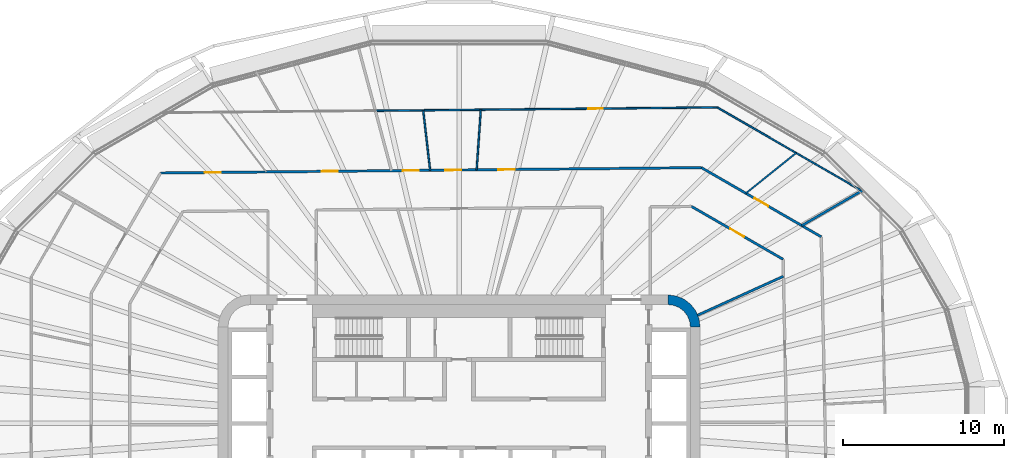
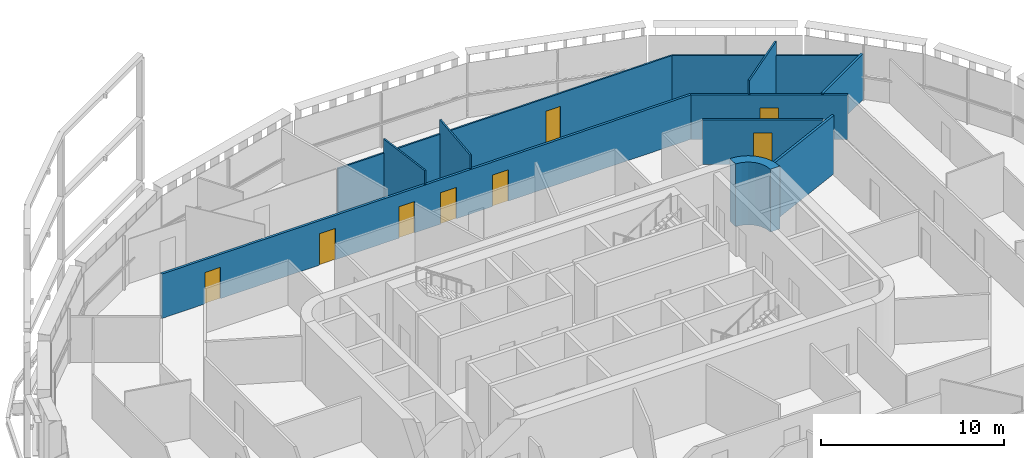
# One storey, part 18 of 26: 11 walls, 8 doors, 8 openings.
"""IFC4 building model written with IfcOpenShell, lengths in metres."""

from ifc_helpers import new_model, si_unit, direction, frame, frame_2d, origin, place, context, subcontext, project, spatial, polyline, rectangle, outline, extrude, material, layer, layer_set, type_object, element, fill, save


model = new_model("IFC4")

# Units and contexts
model_context = context("Model", 3, precision=1e-05, world=origin(), true_north=direction((0.0, 1.0)))
body_context = subcontext(model_context, "Body", "Model", "MODEL_VIEW")
ifc_project = project(units=[si_unit("LENGTHUNIT", "METRE"), si_unit("AREAUNIT", "SQUARE_METRE"), si_unit("VOLUMEUNIT", "CUBIC_METRE"), si_unit("PLANEANGLEUNIT", "RADIAN"), si_unit("MASSUNIT", "GRAM", prefix="KILO")], contexts=[model_context])

# Site, building, storey
site_placement = place(None, origin())
site = spatial("IfcSite", under=ifc_project, at=site_placement, CompositionType="ELEMENT")
building_placement = place(site_placement, origin())
building = spatial("IfcBuilding", under=site, at=building_placement, Name="Sahrelin Media Tower", CompositionType="ELEMENT")
storey_placement = place(building_placement, frame((0.0, 0.0, 84.0)))
storey = spatial("IfcBuildingStorey", under=building, at=storey_placement, Name="L15", CompositionType="ELEMENT", Elevation=84.0)

# Wall
ifc_material_1 = material(Name="Concrete C60/75", Category="concrete")
ifc_layer_1 = layer(ifc_material_1, 0.60009765625)
ifc_layer_set_1 = layer_set([ifc_layer_1], Name="Core wall 600")
wall_type_1 = type_object("IfcWallType", Name="Core wall 600", PredefinedType="SHEAR", material=ifc_layer_set_1)
wall_1_placement = place(storey_placement, origin())
element("IfcWall", 1, at=wall_1_placement, inside=storey, type_object=wall_type_1, Name="Core wall corner NE L15", PredefinedType="SHEAR", context=body_context, shape_type="SweptSolid", body=[
    extrude(outline(polyline([(13.0, 8.0), (13.0, 7.394775390625), (13.361083984375, 7.347412109375), (13.697509765625, 7.2080078125), (13.986328125, 6.986328125), (14.2080078125, 6.697509765625), (14.347412109375, 6.361083984375), (14.394775390625, 6.0), (15.0, 6.0), (14.931884765625, 6.517578125), (14.732177734375, 7.0), (14.414306640625, 7.414306640625), (14.0, 7.732177734375), (13.517578125, 7.931884765625), (13.0, 8.0)])), origin(), (0.0, 0.0, 1.0), 4.199951171875),
])

# Wall, opening, door
ifc_material_2 = material(Name="Fire-rated gypsum board partition")
ifc_layer_2 = layer(ifc_material_2, 0.14990234375)
ifc_layer_set_2 = layer_set([ifc_layer_2], Name="Fire-rated partition 150")
wall_type_2 = type_object("IfcWallType", Name="Fire-rated partition 150", PredefinedType="PARTITIONING", material=ifc_layer_set_2)
wall_2_placement = place(storey_placement, frame((14.447998046875, 13.514892578125, 0.0), z_axis=(0.0, 0.0, 1.0), x_axis=(0.866032288321, -0.499988075443, 0.0)))
wall_2 = element("IfcWall", 2, at=wall_2_placement, inside=storey, type_object=wall_type_2, Name="Wall", PredefinedType="PARTITIONING", context=body_context, shape_type="SweptSolid", body=[
    extrude(rectangle(XDim=6.603759765625, YDim=0.14990234375, at=frame_2d((3.3017578125, 0.0))), origin(), (0.0, 0.0, 1.0), 2.96826171875),
])
opening_1_placement = place(wall_2_placement, frame((2.8017578125, 0.0, 0.0)))
opening_1 = element("IfcOpeningElement", 3, at=opening_1_placement, cuts=wall_2, Name="Opening L15-D27", PredefinedType="OPENING", context=body_context, shape_type="SweptSolid", body=[
    extrude(rectangle(XDim=1.0, YDim=2.10009765625, at=frame_2d((0.5, 1.050048828125))), frame((0.0, 0.074951171875, 0.0), z_axis=(0.0, -1.0, 0.0), x_axis=(1.0, 0.0, 0.0)), (0.0, 0.0, 1.0), 0.14990234375),
])
ifc_material_3 = material(Name="Steel fire door leaf", Category="steel")
door_type_1 = type_object("IfcDoorType", Name="Fire door 1000 x 2100 EI 60", OperationType="NOTDEFINED", PredefinedType="DOOR", material=ifc_material_3)
door_1_placement = place(opening_1_placement, origin())
door_1 = element("IfcDoor", 4, at=door_1_placement, inside=storey, type_object=door_type_1, Name="Fire door", OperationType="SINGLE_SWING_RIGHT", OverallHeight=2.10009765625, OverallWidth=1.0, PredefinedType="DOOR", context=body_context, shape_type="SweptSolid", body=[
    extrude(rectangle(XDim=1.0, YDim=2.10009765625, at=frame_2d((0.5, 1.050048828125))), frame((0.0, 0.02490234375, 0.0), z_axis=(0.0, -1.0, 0.0), x_axis=(1.0, 0.0, 0.0)), (0.0, 0.0, 1.0), 0.050048828125),
])
fill(opening_1, door_1)

wall_3_placement = place(storey_placement, frame((15.080078125, 15.9208984375, 0.0), z_axis=(0.0, 0.0, 1.0), x_axis=(0.866020838546, -0.500007907142, 0.0)))
wall_3 = element("IfcWall", 5, at=wall_3_placement, inside=storey, type_object=wall_type_2, Name="Wall", PredefinedType="PARTITIONING", context=body_context, shape_type="SweptSolid", body=[
    extrude(rectangle(XDim=8.612548828125, YDim=0.14990234375, at=frame_2d((4.30615234375, 0.0))), origin(), (0.0, 0.0, 1.0), 2.96826171875),
])
opening_2_placement = place(wall_3_placement, frame((3.807373046875, 0.0, 0.0)))
opening_2 = element("IfcOpeningElement", 6, at=opening_2_placement, cuts=wall_3, Name="Opening L15-D41", PredefinedType="OPENING", context=body_context, shape_type="SweptSolid", body=[
    extrude(rectangle(XDim=1.0, YDim=2.10009765625, at=frame_2d((0.5, 1.050048828125))), frame((0.0, 0.074951171875, 0.0), z_axis=(0.0, -1.0, 0.0), x_axis=(1.0, 0.0, 0.0)), (0.0, 0.0, 1.0), 0.14990234375),
])
door_2_placement = place(opening_2_placement, origin())
door_2 = element("IfcDoor", 7, at=door_2_placement, inside=storey, type_object=door_type_1, Name="Fire door", OperationType="SINGLE_SWING_LEFT", OverallHeight=2.10009765625, OverallWidth=1.0, PredefinedType="DOOR", context=body_context, shape_type="SweptSolid", body=[
    extrude(rectangle(XDim=1.0, YDim=2.10009765625, at=frame_2d((0.5, 1.050048828125))), frame((0.0, 0.02490234375, 0.0), z_axis=(0.0, -1.0, 0.0), x_axis=(1.0, 0.0, 0.0)), (0.0, 0.0, 1.0), 0.050048828125),
])
fill(opening_2, door_2)

# Wall, openings, doors
wall_4_placement = place(storey_placement, frame((-18.5869140625, 15.5869140625, 0.0), z_axis=(0.0, 0.0, 1.0), x_axis=(0.99995087003, 0.009912493396, 0.0)))
wall_4 = element("IfcWall", 8, at=wall_4_placement, inside=storey, type_object=wall_type_2, Name="Wall", PredefinedType="PARTITIONING", context=body_context, shape_type="SweptSolid", body=[
    extrude(rectangle(XDim=33.668701171875, YDim=0.14990234375, at=frame_2d((16.83447265625, 0.0))), origin(), (0.0, 0.0, 1.0), 2.96826171875),
])
opening_3_placement = place(wall_4_placement, frame((21.034423828125, 0.0, 0.0)))
opening_3 = element("IfcOpeningElement", 9, at=opening_3_placement, cuts=wall_4, Name="Opening L15-D42", PredefinedType="OPENING", context=body_context, shape_type="SweptSolid", body=[
    extrude(rectangle(XDim=1.0, YDim=2.10009765625, at=frame_2d((0.5, 1.050048828125))), frame((0.0, 0.074951171875, 0.0), z_axis=(0.0, -1.0, 0.0), x_axis=(1.0, 0.0, 0.0)), (0.0, 0.0, 1.0), 0.14990234375),
])
opening_4_placement = place(wall_4_placement, frame((17.72998046875, 0.0, 0.0)))
opening_4 = element("IfcOpeningElement", 10, at=opening_4_placement, cuts=wall_4, Name="Opening L15-D43", PredefinedType="OPENING", context=body_context, shape_type="SweptSolid", body=[
    extrude(rectangle(XDim=1.0, YDim=2.10009765625, at=frame_2d((0.5, 1.050048828125))), frame((0.0, 0.074951171875, 0.0), z_axis=(0.0, -1.0, 0.0), x_axis=(1.0, 0.0, 0.0)), (0.0, 0.0, 1.0), 0.14990234375),
])
opening_5_placement = place(wall_4_placement, frame((15.0771484375, 0.0, 0.0)))
opening_5 = element("IfcOpeningElement", 11, at=opening_5_placement, cuts=wall_4, Name="Opening L15-D44", PredefinedType="OPENING", context=body_context, shape_type="SweptSolid", body=[
    extrude(rectangle(XDim=1.0, YDim=2.10009765625, at=frame_2d((0.5, 1.050048828125))), frame((0.0, 0.074951171875, 0.0), z_axis=(0.0, -1.0, 0.0), x_axis=(1.0, 0.0, 0.0)), (0.0, 0.0, 1.0), 0.14990234375),
])
opening_6_placement = place(wall_4_placement, frame((10.026123046875, 0.0, 0.0)))
opening_6 = element("IfcOpeningElement", 12, at=opening_6_placement, cuts=wall_4, Name="Opening L15-D46", PredefinedType="OPENING", context=body_context, shape_type="SweptSolid", body=[
    extrude(rectangle(XDim=1.0, YDim=2.10009765625, at=frame_2d((0.5, 1.050048828125))), frame((0.0, 0.074951171875, 0.0), z_axis=(0.0, -1.0, 0.0), x_axis=(1.0, 0.0, 0.0)), (0.0, 0.0, 1.0), 0.14990234375),
])
opening_7_placement = place(wall_4_placement, frame((2.73681640625, 0.0, 0.0)))
opening_7 = element("IfcOpeningElement", 13, at=opening_7_placement, cuts=wall_4, Name="Opening L15-D47", PredefinedType="OPENING", context=body_context, shape_type="SweptSolid", body=[
    extrude(rectangle(XDim=1.0, YDim=2.10009765625, at=frame_2d((0.5, 1.050048828125))), frame((0.0, 0.074951171875, 0.0), z_axis=(0.0, -1.0, 0.0), x_axis=(1.0, 0.0, 0.0)), (0.0, 0.0, 1.0), 0.14990234375),
])
door_3_placement = place(opening_3_placement, origin())
door_3 = element("IfcDoor", 14, at=door_3_placement, inside=storey, type_object=door_type_1, Name="Fire door", OperationType="SINGLE_SWING_RIGHT", OverallHeight=2.10009765625, OverallWidth=1.0, PredefinedType="DOOR", context=body_context, shape_type="SweptSolid", body=[
    extrude(rectangle(XDim=1.0, YDim=2.10009765625, at=frame_2d((0.5, 1.050048828125))), frame((0.0, 0.02490234375, 0.0), z_axis=(0.0, -1.0, 0.0), x_axis=(1.0, 0.0, 0.0)), (0.0, 0.0, 1.0), 0.050048828125),
])
fill(opening_3, door_3)
door_4_placement = place(opening_4_placement, origin())
door_4 = element("IfcDoor", 15, at=door_4_placement, inside=storey, type_object=door_type_1, Name="Fire door", OperationType="SINGLE_SWING_RIGHT", OverallHeight=2.10009765625, OverallWidth=1.0, PredefinedType="DOOR", context=body_context, shape_type="SweptSolid", body=[
    extrude(rectangle(XDim=1.0, YDim=2.10009765625, at=frame_2d((0.5, 1.050048828125))), frame((0.0, 0.02490234375, 0.0), z_axis=(0.0, -1.0, 0.0), x_axis=(1.0, 0.0, 0.0)), (0.0, 0.0, 1.0), 0.050048828125),
])
fill(opening_4, door_4)
door_5_placement = place(opening_5_placement, origin())
door_5 = element("IfcDoor", 16, at=door_5_placement, inside=storey, type_object=door_type_1, Name="Fire door", OperationType="SINGLE_SWING_LEFT", OverallHeight=2.10009765625, OverallWidth=1.0, PredefinedType="DOOR", context=body_context, shape_type="SweptSolid", body=[
    extrude(rectangle(XDim=1.0, YDim=2.10009765625, at=frame_2d((0.5, 1.050048828125))), frame((0.0, 0.02490234375, 0.0), z_axis=(0.0, -1.0, 0.0), x_axis=(1.0, 0.0, 0.0)), (0.0, 0.0, 1.0), 0.050048828125),
])
fill(opening_5, door_5)
door_6_placement = place(opening_6_placement, origin())
door_6 = element("IfcDoor", 17, at=door_6_placement, inside=storey, type_object=door_type_1, Name="Fire door", OperationType="SINGLE_SWING_LEFT", OverallHeight=2.10009765625, OverallWidth=1.0, PredefinedType="DOOR", context=body_context, shape_type="SweptSolid", body=[
    extrude(rectangle(XDim=1.0, YDim=2.10009765625, at=frame_2d((0.5, 1.050048828125))), frame((0.0, 0.02490234375, 0.0), z_axis=(0.0, -1.0, 0.0), x_axis=(1.0, 0.0, 0.0)), (0.0, 0.0, 1.0), 0.050048828125),
])
fill(opening_6, door_6)
door_7_placement = place(opening_7_placement, origin())
door_7 = element("IfcDoor", 18, at=door_7_placement, inside=storey, type_object=door_type_1, Name="Fire door", OperationType="SINGLE_SWING_RIGHT", OverallHeight=2.10009765625, OverallWidth=1.0, PredefinedType="DOOR", context=body_context, shape_type="SweptSolid", body=[
    extrude(rectangle(XDim=1.0, YDim=2.10009765625, at=frame_2d((0.5, 1.050048828125))), frame((0.0, 0.02490234375, 0.0), z_axis=(0.0, -1.0, 0.0), x_axis=(1.0, 0.0, 0.0)), (0.0, 0.0, 1.0), 0.050048828125),
])
fill(opening_7, door_7)

# Walls
wall_5_placement = place(storey_placement, frame((14.843017578125, 6.73291015625, 0.0), z_axis=(0.0, 0.0, 1.0), x_axis=(0.910628361306, 0.413226315214, 0.0)))
element("IfcWall", 19, at=wall_5_placement, inside=storey, type_object=wall_type_2, Name="Wall", PredefinedType="PARTITIONING", context=body_context, shape_type="SweptSolid", body=[
    extrude(rectangle(XDim=5.870361328125, YDim=0.14990234375, at=frame_2d((2.93505859375, 0.0))), origin(), (0.0, 0.0, 1.0), 3.89990234375),
])
wall_6_placement = place(storey_placement, frame((21.3291015625, 12.31396484375, 0.0), z_axis=(0.0, 0.0, 1.0), x_axis=(0.865416132284, 0.501053807472, 0.0)))
element("IfcWall", 20, at=wall_6_placement, inside=storey, type_object=wall_type_2, Name="Wall", PredefinedType="PARTITIONING", context=body_context, shape_type="SweptSolid", body=[
    extrude(rectangle(XDim=4.39013671875, YDim=0.14990234375, at=frame_2d((2.195068359375, 0.0))), origin(), (0.0, 0.0, 1.0), 3.044921875),
])
ifc_material_4 = material(Name="Gypsum board partition")
ifc_layer_3 = layer(ifc_material_4, 0.10009765625)
ifc_layer_set_3 = layer_set([ifc_layer_3], Name="Partition 100")
wall_type_3 = type_object("IfcWallType", Name="Partition 100", PredefinedType="PARTITIONING", material=ifc_layer_set_3)
wall_7_placement = place(storey_placement, frame((-2.237060546875, 19.489990234375, 0.0), z_axis=(0.0, 0.0, 1.0), x_axis=(0.114064733863, -0.993473319465, 0.0)))
element("IfcWall", 21, at=wall_7_placement, inside=storey, type_object=wall_type_3, Name="Wall", PredefinedType="PARTITIONING", context=body_context, shape_type="SweptSolid", body=[
    extrude(rectangle(XDim=3.7607421875, YDim=0.10009765625, at=frame_2d((1.88037109375, 0.0))), origin(), (0.0, 0.0, 1.0), 3.89990234375),
])
wall_8_placement = place(storey_placement, frame((16.06494140625, 19.6708984375, 0.0), z_axis=(0.0, 0.0, 1.0), x_axis=(0.866058502288, -0.499942667328, 0.0)))
element("IfcWall", 22, at=wall_8_placement, inside=storey, type_object=wall_type_3, Name="Wall", PredefinedType="PARTITIONING", context=body_context, shape_type="SweptSolid", body=[
    extrude(rectangle(XDim=10.396728515625, YDim=0.10009765625, at=frame_2d((5.1982421875, 0.0))), origin(), (0.0, 0.0, 1.0), 2.96826171875),
])

# Wall, opening, door
wall_9_placement = place(storey_placement, frame((-5.215087890625, 19.4599609375, 0.0), z_axis=(0.0, 0.0, 1.0), x_axis=(0.999950988801, 0.00990050484, 0.0)))
wall_9 = element("IfcWall", 23, at=wall_9_placement, inside=storey, type_object=wall_type_3, Name="Wall", PredefinedType="PARTITIONING", context=body_context, shape_type="SweptSolid", body=[
    extrude(rectangle(XDim=21.281005859375, YDim=0.10009765625, at=frame_2d((10.640625, 0.0))), origin(), (0.0, 0.0, 1.0), 2.96826171875),
])
opening_8_placement = place(wall_9_placement, frame((13.2548828125, 0.0, 0.0)))
opening_8 = element("IfcOpeningElement", 24, at=opening_8_placement, cuts=wall_9, Name="Opening L15-D45", PredefinedType="OPENING", context=body_context, shape_type="SweptSolid", body=[
    extrude(rectangle(XDim=0.89990234375, YDim=2.10009765625, at=frame_2d((0.449951171875, 1.050048828125))), frame((0.0, 0.050048828125, 0.0), z_axis=(0.0, -1.0, 0.0), x_axis=(1.0, 0.0, 0.0)), (0.0, 0.0, 1.0), 0.10009765625),
])
ifc_material_5 = material(Name="Timber door leaf", Category="wood")
door_type_2 = type_object("IfcDoorType", Name="Single door 900 x 2100", OperationType="NOTDEFINED", PredefinedType="DOOR", material=ifc_material_5)
door_8_placement = place(opening_8_placement, origin())
door_8 = element("IfcDoor", 25, at=door_8_placement, inside=storey, type_object=door_type_2, Name="Single door", OperationType="SINGLE_SWING_RIGHT", OverallHeight=2.10009765625, OverallWidth=0.89990234375, PredefinedType="DOOR", context=body_context, shape_type="SweptSolid", body=[
    extrude(rectangle(XDim=0.89990234375, YDim=2.10009765625, at=frame_2d((0.449951171875, 1.050048828125))), frame((0.0, 0.02490234375, 0.0), z_axis=(0.0, -1.0, 0.0), x_axis=(1.0, 0.0, 0.0)), (0.0, 0.0, 1.0), 0.050048828125),
])
fill(opening_8, door_8)

# Walls
wall_10_placement = place(storey_placement, frame((17.84912109375, 14.322998046875, 0.0), z_axis=(0.0, 0.0, 1.0), x_axis=(0.7800073623, 0.625770337071, 0.0)))
element("IfcWall", 26, at=wall_10_placement, inside=storey, type_object=wall_type_3, Name="Wall", PredefinedType="PARTITIONING", context=body_context, shape_type="SweptSolid", body=[
    extrude(rectangle(XDim=4.0126953125, YDim=0.10009765625, at=frame_2d((2.00634765625, 0.0))), origin(), (0.0, 0.0, 1.0), 3.89990234375),
])
wall_11_placement = place(storey_placement, frame((1.089111328125, 15.782958984375, 0.0), z_axis=(0.0, 0.0, 1.0), x_axis=(0.068735075686, 0.99763494795, 0.0)))
element("IfcWall", 27, at=wall_11_placement, inside=storey, type_object=wall_type_3, Name="Wall", PredefinedType="PARTITIONING", context=body_context, shape_type="SweptSolid", body=[
    extrude(rectangle(XDim=3.750732421875, YDim=0.10009765625, at=frame_2d((1.87548828125, 0.0))), origin(), (0.0, 0.0, 1.0), 3.89990234375),
])

save(model, "model.ifc")
